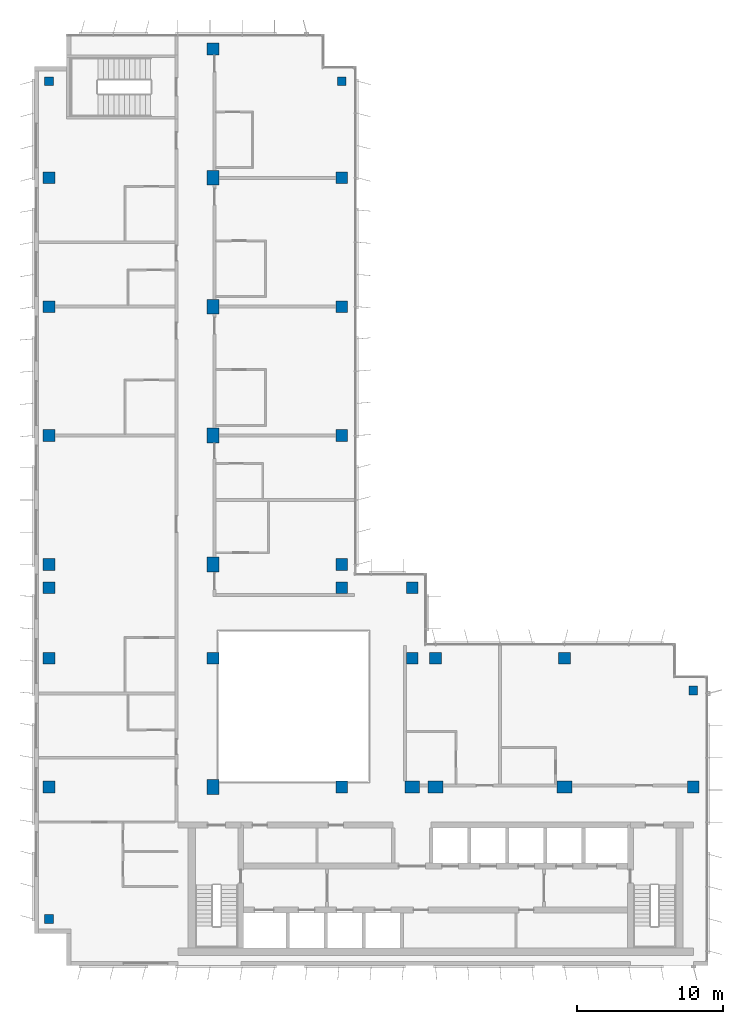
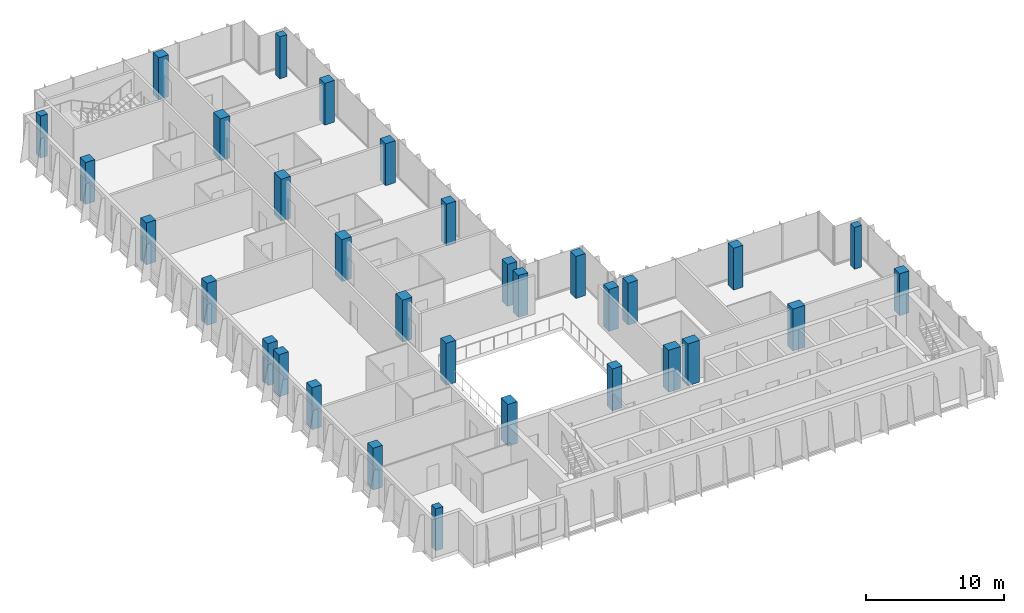
# One storey, part 1 of 15: 32 columns.
"""IFC4 building model written with IfcOpenShell, lengths in metres."""

from ifc_helpers import new_model, si_unit, direction, frame, origin, origin_2d, place, context, subcontext, project, spatial, rectangle, extrude, material, material_profile, profile_set, type_object, element, save


model = new_model("IFC4")

# Units and contexts
model_context = context("Model", 3, precision=1e-05, world=origin(), true_north=direction((0.0, 1.0)))
body_context = subcontext(model_context, "Body", "Model", "MODEL_VIEW")
ifc_project = project(units=[si_unit("LENGTHUNIT", "METRE"), si_unit("AREAUNIT", "SQUARE_METRE"), si_unit("VOLUMEUNIT", "CUBIC_METRE"), si_unit("PLANEANGLEUNIT", "RADIAN"), si_unit("MASSUNIT", "GRAM", prefix="KILO")], contexts=[model_context])

# Site, building, storey
site_placement = place(None, origin())
site = spatial("IfcSite", under=ifc_project, at=site_placement, CompositionType="ELEMENT")
building_placement = place(site_placement, origin())
building = spatial("IfcBuilding", under=site, at=building_placement, Name="Kemantara Hotel Tower", CompositionType="ELEMENT")
storey_placement = place(building_placement, frame((0.0, 0.0, 230.199951171875)))
storey = spatial("IfcBuildingStorey", under=building, at=storey_placement, Name="L57", CompositionType="ELEMENT", Elevation=230.199951171875)

# Columns
ifc_material = material(Name="Concrete fc 60 MPa", Category="concrete")
ifc_material_profile_1 = material_profile(ifc_material, rectangle(XDim=1.0, YDim=0.800048828125, at=origin_2d()), Name="RC 1000X800")
ifc_profile_set_1 = profile_set([ifc_material_profile_1], Name="Concrete fc 60 MPa")
column_type_1 = type_object("IfcColumnType", Name="RC COLUMN 1000X800 FC60", PredefinedType="COLUMN", material=ifc_profile_set_1)
for number, where, z_axis, x_axis, name in (
    (1, (12.199951171875, 12.199951171875, 0.0), (0.0, 0.0, 1.0), (0.0, 1.0, 0.0), "COLUMN 2A/BA L57"),
    (2, (12.199951171875, 27.39990234375, 0.0), (0.0, 0.0, 1.0), (0.0, 1.0, 0.0), "COLUMN 2A/D L57"),
    (3, (12.199951171875, 36.199951171875, 0.0), (0.0, 0.0, 1.0), (0.0, 1.0, 0.0), "COLUMN 2A/E L57"),
    (4, (12.199951171875, 45.0, 0.0), (0.0, 0.0, 1.0), (0.0, 1.0, 0.0), "COLUMN 2A/F L57"),
    (5, (12.199951171875, 53.800048828125, 0.0), (0.0, 0.0, 1.0), (0.0, 1.0, 0.0), "COLUMN 2A/G L57"),
    (6, (25.800048828125, 12.199951171875, 0.0), (0.0, 0.0, 1.0), (1.0, 0.0, 0.0), "COLUMN 3A/BA L57"),
    (7, (27.39990234375, 12.199951171875, 0.0), (0.0, 0.0, 1.0), (1.0, 0.0, 0.0), "COLUMN 4/BA L57"),
    (8, (36.199951171875, 12.199951171875, 0.0), (0.0, 0.0, 1.0), (1.0, 0.0, 0.0), "COLUMN 5/BA L57"),
):
    element("IfcColumn", number, at=place(storey_placement, frame(where, z_axis=z_axis, x_axis=x_axis)), inside=storey, type_object=column_type_1, Name=name, PredefinedType="COLUMN", context=body_context, shape_type="SweptSolid", body=[
        extrude(rectangle(XDim=1.0, YDim=0.800048828125, at=origin_2d()), origin(), (0.0, 0.0, 1.0), 3.699951171875),
    ])
ifc_material_profile_2 = material_profile(ifc_material, rectangle(XDim=0.60009765625, YDim=0.60009765625, at=origin_2d()), Name="RC 600X600")
ifc_profile_set_2 = profile_set([ifc_material_profile_2], Name="Concrete fc 60 MPa")
column_type_2 = type_object("IfcColumnType", Name="RC COLUMN 600X600 FC60", PredefinedType="COLUMN", material=ifc_profile_set_2)
for number, where, z_axis, x_axis, name in (
    (9, (1.0, 3.199951171875, 0.0), (0.0, 0.0, 1.0), (1.0, 0.0, 0.0), "COLUMN notch corner L57"),
    (10, (1.0, 60.39990234375, 0.0), (0.0, 0.0, 1.0), (1.0, 0.0, 0.0), "COLUMN notch corner L57"),
    (11, (21.0, 60.39990234375, 0.0), (0.0, 0.0, 1.0), (1.0, 0.0, 0.0), "COLUMN notch corner L57"),
    (12, (45.0, 18.800048828125, 0.0), (0.0, 0.0, 1.0), (1.0, 0.0, 0.0), "COLUMN notch corner L57"),
):
    element("IfcColumn", number, at=place(storey_placement, frame(where, z_axis=z_axis, x_axis=x_axis)), inside=storey, type_object=column_type_2, Name=name, PredefinedType="COLUMN", context=body_context, shape_type="SweptSolid", body=[
        extrude(rectangle(XDim=0.60009765625, YDim=0.60009765625, at=origin_2d()), origin(), (0.0, 0.0, 1.0), 3.699951171875),
    ])
ifc_material_profile_3 = material_profile(ifc_material, rectangle(XDim=0.800048828125, YDim=0.800048828125, at=origin_2d()), Name="RC 800X800")
ifc_profile_set_3 = profile_set([ifc_material_profile_3], Name="Concrete fc 60 MPa")
column_type_3 = type_object("IfcColumnType", Name="RC COLUMN 800X800 FC60", PredefinedType="COLUMN", material=ifc_profile_set_3)
for number, where, z_axis, x_axis, name in (
    (13, (1.0, 12.199951171875, 0.0), (0.0, 0.0, 1.0), (1.0, 0.0, 0.0), "COLUMN 1/BA L57"),
    (14, (1.0, 21.0, 0.0), (0.0, 0.0, 1.0), (1.0, 0.0, 0.0), "COLUMN 1/C L57"),
    (15, (1.0, 25.800048828125, 0.0), (0.0, 0.0, 1.0), (1.0, 0.0, 0.0), "COLUMN 1/CA L57"),
    (16, (1.0, 27.39990234375, 0.0), (0.0, 0.0, 1.0), (1.0, 0.0, 0.0), "COLUMN 1/D L57"),
    (17, (1.0, 36.199951171875, 0.0), (0.0, 0.0, 1.0), (1.0, 0.0, 0.0), "COLUMN 1/E L57"),
    (18, (1.0, 45.0, 0.0), (0.0, 0.0, 1.0), (1.0, 0.0, 0.0), "COLUMN 1/F L57"),
    (19, (1.0, 53.800048828125, 0.0), (0.0, 0.0, 1.0), (1.0, 0.0, 0.0), "COLUMN 1/G L57"),
    (20, (12.199951171875, 21.0, 0.0), (0.0, 0.0, 1.0), (1.0, 0.0, 0.0), "COLUMN 2A/C L57"),
    (21, (12.199951171875, 62.60009765625, 0.0), (0.0, 0.0, 1.0), (1.0, 0.0, 0.0), "COLUMN 2A/H L57"),
    (22, (21.0, 12.199951171875, 0.0), (0.0, 0.0, 1.0), (1.0, 0.0, 0.0), "COLUMN 3/BA L57"),
    (23, (21.0, 25.800048828125, 0.0), (0.0, 0.0, 1.0), (1.0, 0.0, 0.0), "COLUMN 3/CA L57"),
    (24, (21.0, 27.39990234375, 0.0), (0.0, 0.0, 1.0), (1.0, 0.0, 0.0), "COLUMN 3/D L57"),
    (25, (21.0, 36.199951171875, 0.0), (0.0, 0.0, 1.0), (1.0, 0.0, 0.0), "COLUMN 3/E L57"),
    (26, (21.0, 45.0, 0.0), (0.0, 0.0, 1.0), (1.0, 0.0, 0.0), "COLUMN 3/F L57"),
    (27, (21.0, 53.800048828125, 0.0), (0.0, 0.0, 1.0), (1.0, 0.0, 0.0), "COLUMN 3/G L57"),
    (28, (25.800048828125, 21.0, 0.0), (0.0, 0.0, 1.0), (1.0, 0.0, 0.0), "COLUMN 3A/C L57"),
    (29, (25.800048828125, 25.800048828125, 0.0), (0.0, 0.0, 1.0), (1.0, 0.0, 0.0), "COLUMN 3A/CA L57"),
    (30, (27.39990234375, 21.0, 0.0), (0.0, 0.0, 1.0), (1.0, 0.0, 0.0), "COLUMN 4/C L57"),
    (31, (36.199951171875, 21.0, 0.0), (0.0, 0.0, 1.0), (1.0, 0.0, 0.0), "COLUMN 5/C L57"),
    (32, (45.0, 12.199951171875, 0.0), (0.0, 0.0, 1.0), (1.0, 0.0, 0.0), "COLUMN 6/BA L57"),
):
    element("IfcColumn", number, at=place(storey_placement, frame(where, z_axis=z_axis, x_axis=x_axis)), inside=storey, type_object=column_type_3, Name=name, PredefinedType="COLUMN", context=body_context, shape_type="SweptSolid", body=[
        extrude(rectangle(XDim=0.800048828125, YDim=0.800048828125, at=origin_2d()), origin(), (0.0, 0.0, 1.0), 3.699951171875),
    ])

save(model, "model.ifc")
